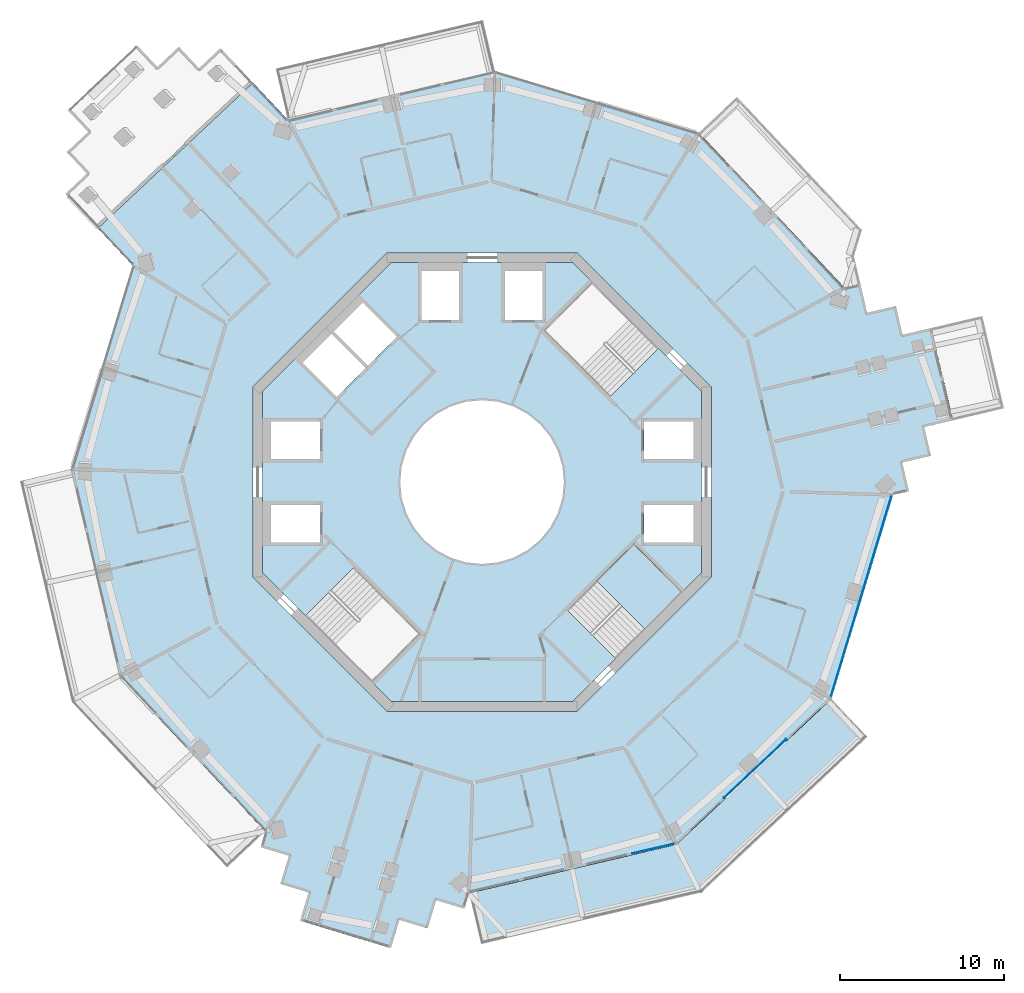
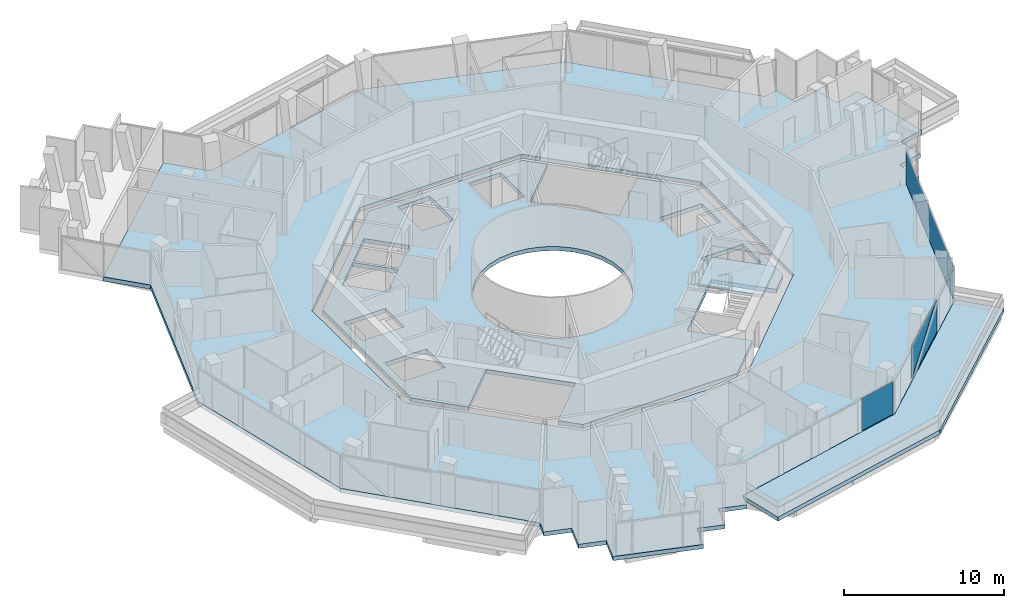
# One storey, part 13 of 24: 4 plates, 4 slabs, 4 elements without a shape of their own.
"""IFC4 building model written with IfcOpenShell, lengths in metres."""

import ifcopenshell
import ifcopenshell.guid

model = None  # the IFC model being written
_history = None  # IfcOwnerHistory: only IFC2X3 demands one
_inside = {}  # id of a spatial element -> (the spatial element, [elements in it])
_under = {}  # id of a project, library or spatial element -> (it, [spatial elements below it])
_declared = {}  # id of a project -> (the project, [libraries it declares])
_typed = {}  # id of a type object -> (the type object, [elements of that type])
_made_of = {}  # id of a material, layer set ... -> (it, [elements and type objects made of it])


def new_model(schema):
    """Start an empty IFC model of exactly this schema.

    Asked for "IFC4X3", IfcOpenShell would pick the latest addendum, in which some entities
    have other attributes; the version numbers below select the first issue.
    IFC2X3 requires an IfcOwnerHistory on every rooted entity: one is made here for all.
    """
    global model, _history
    if schema == "IFC4X3":
        model = ifcopenshell.file(schema_version=(4, 3, 0, 0))
    else:
        model = ifcopenshell.file(schema=schema)
    _inside.clear()
    _under.clear()
    _declared.clear()
    _typed.clear()
    _made_of.clear()
    _history = None
    if model.schema == "IFC2X3":
        org = make("IfcOrganization", Name="unknown")
        user = make(
            "IfcPersonAndOrganization",
            ThePerson=make("IfcPerson", FamilyName="unknown"),
            TheOrganization=org,
        )
        app = make(
            "IfcApplication",
            ApplicationDeveloper=org,
            Version="unknown",
            ApplicationFullName="unknown",
            ApplicationIdentifier="unknown",
        )
        _history = make(
            "IfcOwnerHistory",
            OwningUser=user,
            OwningApplication=app,
            ChangeAction="ADDED",
            CreationDate=0,
        )
    return model


def make(cls, **values):
    """One entity of the class cls with the attributes given. An attribute that is None is left unset."""
    return model.create_entity(
        cls, **{name: value for name, value in values.items() if value is not None}
    )


def rooted(cls, **values):
    """An entity with a GlobalId (a new one), such as an element, a storey or a relation."""
    return make(cls, GlobalId=ifcopenshell.guid.new(), OwnerHistory=_history, **values)


def si_unit(unit_type, name, prefix=None):
    """IfcSIUnit, for example si_unit("LENGTHUNIT", "METRE", prefix="MILLI")."""
    return make("IfcSIUnit", UnitType=unit_type, Prefix=prefix, Name=name)


def assignment(units):
    """IfcUnitAssignment: the units of a project."""
    return None if units is None else make("IfcUnitAssignment", Units=units)


def point(xyz):
    """IfcCartesianPoint."""
    return None if xyz is None else make("IfcCartesianPoint", Coordinates=xyz)


def direction(xyz):
    """IfcDirection."""
    return None if xyz is None else make("IfcDirection", DirectionRatios=xyz)


def frame(location, z_axis=None, x_axis=None):
    """IfcAxis2Placement3D, a coordinate frame: its origin and axes. An axis left out is left unset."""
    return make(
        "IfcAxis2Placement3D",
        Location=point(location),
        Axis=direction(z_axis),
        RefDirection=direction(x_axis),
    )


def frame_2d(location, x_axis=None):
    """IfcAxis2Placement2D, a coordinate frame in the plane: its origin and x axis."""
    return make(
        "IfcAxis2Placement2D", Location=point(location), RefDirection=direction(x_axis)
    )


def origin():
    """The frame at (0, 0, 0) with its axes left unset."""
    return frame((0.0, 0.0, 0.0))


def origin_2d():
    """The frame at (0, 0) in the plane with its x axis left unset."""
    return frame_2d((0.0, 0.0))


def place(relative_to, where):
    """IfcLocalPlacement: puts the frame where relative to a parent placement (None: the world)."""
    return make(
        "IfcLocalPlacement", PlacementRelTo=relative_to, RelativePlacement=where
    )


def context(
    kind, dimensions, precision=None, world=None, true_north=None, identifier=None
):
    """IfcGeometricRepresentationContext, for example the 3D "Model" context."""
    return make(
        "IfcGeometricRepresentationContext",
        ContextIdentifier=identifier,
        ContextType=kind,
        CoordinateSpaceDimension=dimensions,
        Precision=precision,
        WorldCoordinateSystem=world,
        TrueNorth=true_north,
    )


def subcontext(parent, identifier, kind, view, scale=None):
    """IfcGeometricRepresentationSubContext, for example "Body" below "Model"."""
    return make(
        "IfcGeometricRepresentationSubContext",
        ContextIdentifier=identifier,
        ContextType=kind,
        ParentContext=parent,
        TargetScale=scale,
        TargetView=view,
    )


def project(units=None, contexts=None):
    """IfcProject with its units and contexts."""
    return rooted(
        "IfcProject",
        Name="project",
        RepresentationContexts=contexts,
        UnitsInContext=assignment(units),
    )


def spatial(cls, under=None, at=None, **own):
    """A site, building, storey or space (cls), placed at a placement, below another one or the project."""
    s = rooted(cls, ObjectPlacement=at, **own)
    if under is not None:
        _under.setdefault(under.id(), (under, []))[1].append(s)
    return s


def polyline(points):
    """IfcPolyline through the points."""
    return make("IfcPolyline", Points=[point(p) for p in points])


def profile(cls, at=None, kind="AREA", **sizes):
    """A parametric profile (cls). Its sizes go by their IFC names, for example OverallWidth=200.0."""
    return make(cls, ProfileType=kind, Position=at, **sizes)


def rectangle(**sizes):
    """IfcRectangleProfileDef."""
    return profile("IfcRectangleProfileDef", **sizes)


def outline(outer, holes=None, kind="AREA"):
    """IfcArbitraryClosedProfileDef: a profile drawn as a closed curve; with holes, ...WithVoids."""
    if holes is None:
        return make("IfcArbitraryClosedProfileDef", ProfileType=kind, OuterCurve=outer)
    return make(
        "IfcArbitraryProfileDefWithVoids",
        ProfileType=kind,
        OuterCurve=outer,
        InnerCurves=holes,
    )


def extrude(swept, where, along, depth):
    """IfcExtrudedAreaSolid: the profile swept, set in the frame where, extruded along a direction by depth."""
    return make(
        "IfcExtrudedAreaSolid",
        SweptArea=swept,
        Position=where,
        ExtrudedDirection=direction(along),
        Depth=depth,
    )


def shape(context_of_items, identifier, shape_type, items):
    """IfcShapeRepresentation: the items that make up one representation, for example the "Body"."""
    return make(
        "IfcShapeRepresentation",
        ContextOfItems=context_of_items,
        RepresentationIdentifier=identifier,
        RepresentationType=shape_type,
        Items=items,
    )


def material(Name=None, Category=None):
    """IfcMaterial."""
    return make("IfcMaterial", Name=Name, Category=Category)


def layer(
    of_material, thickness, ventilated=None, Name=None, Category=None, Priority=None
):
    """IfcMaterialLayer: one layer of a wall or slab, of a material (None: an air gap)."""
    return make(
        "IfcMaterialLayer",
        Material=of_material,
        LayerThickness=thickness,
        IsVentilated=ventilated,
        Name=Name,
        Category=Category,
        Priority=Priority,
    )


def layer_set(layers, Name=None):
    """IfcMaterialLayerSet."""
    return make("IfcMaterialLayerSet", MaterialLayers=layers, LayerSetName=Name)


def made_of(thing, what):
    """Note that an element or type object is made of a material, layer set ...; save() writes the relation."""
    if what is not None:
        _made_of.setdefault(what.id(), (what, []))[1].append(thing)
    return thing


def type_object(cls, material=None, **own):
    """A type object (cls), such as IfcWallType, which elements share."""
    return made_of(rooted(cls, **own), material)


def element(
    cls,
    number,
    at=None,
    inside=None,
    cuts=None,
    type_object=None,
    material=None,
    context=None,
    identifier="Body",
    shape_type=None,
    held_by="IfcProductDefinitionShape",
    body=None,
    shapes=None,
    **own,
):
    """One element of the class cls, such as IfcWall. Its Tag is "e" and its number.

    at: its placement. inside: the storey or other place that contains it. cuts: it is an
    opening in that element (IfcRelVoidsElement). A single representation is given by context,
    identifier, shape_type and body (its items); several are given by shapes. held_by: the class
    of the entity that holds the representations. save() writes the other relations.
    """
    e = rooted(cls, Tag="e%d" % number, ObjectPlacement=at, **own)
    if body is not None:
        shapes = [shape(context, identifier, shape_type, body)]
    if shapes is not None:
        e.Representation = make(held_by, Representations=shapes)
    if inside is not None:
        _inside.setdefault(inside.id(), (inside, []))[1].append(e)
    if cuts is not None:
        rooted(
            "IfcRelVoidsElement", RelatingBuildingElement=cuts, RelatedOpeningElement=e
        )
    if type_object is not None:
        _typed.setdefault(type_object.id(), (type_object, []))[1].append(e)
    return made_of(e, material)


def aggregate(whole, parts):
    """IfcRelAggregates: a whole, such as a stair, and the parts it consists of."""
    return rooted("IfcRelAggregates", RelatingObject=whole, RelatedObjects=parts)


def save(model, path):
    """Write the relations noted so far, then the file.

    IfcRelAggregates (storeys below a building ...), IfcRelContainedInSpatialStructure (elements
    in a storey), IfcRelDefinesByType, IfcRelAssociatesMaterial and IfcRelDeclares: one each for
    every whole, place, type object, material and project.
    """
    for whole, parts in _under.values():
        aggregate(whole, parts)
    for where, things in _inside.values():
        rooted(
            "IfcRelContainedInSpatialStructure",
            RelatedElements=things,
            RelatingStructure=where,
        )
    for kind, things in _typed.values():
        rooted("IfcRelDefinesByType", RelatedObjects=things, RelatingType=kind)
    for what, things in _made_of.values():
        rooted("IfcRelAssociatesMaterial", RelatedObjects=things, RelatingMaterial=what)
    for by, libraries in _declared.values():
        rooted("IfcRelDeclares", RelatingContext=by, RelatedDefinitions=libraries)
    model.write(path)


model = new_model("IFC4")

# Units and contexts
model_context = context("Model", 3, precision=1e-05, world=origin(), true_north=direction((0.0, 1.0)))
body_context = subcontext(model_context, "Body", "Model", "MODEL_VIEW")
ifc_project = project(units=[si_unit("LENGTHUNIT", "METRE"), si_unit("AREAUNIT", "SQUARE_METRE"), si_unit("VOLUMEUNIT", "CUBIC_METRE"), si_unit("PLANEANGLEUNIT", "RADIAN"), si_unit("MASSUNIT", "GRAM", prefix="KILO")], contexts=[model_context])

# Site, building, storey
site_placement = place(None, origin())
site = spatial("IfcSite", under=ifc_project, at=site_placement, CompositionType="ELEMENT")
building_placement = place(site_placement, origin())
building = spatial("IfcBuilding", under=site, at=building_placement, Name="Verdalira Terraces Hotel", CompositionType="ELEMENT")
storey_placement = place(building_placement, frame((0.0, 0.0, 209.0)))
storey = spatial("IfcBuildingStorey", under=building, at=storey_placement, Name="L51", CompositionType="ELEMENT", Elevation=209.0)

# Slab
ifc_material_1 = material(Name="Precast concrete C40/50", Category="concrete")
ifc_layer_1 = layer(ifc_material_1, 0.31005859375)
ifc_layer_set_1 = layer_set([ifc_layer_1], Name="Balcony deck 310")
slab_type_1 = type_object("IfcSlabType", Name="Balcony deck 310", PredefinedType="FLOOR", material=ifc_layer_set_1)
slab_1_placement = place(storey_placement, frame((0.0, 0.0, -0.310059)))
element("IfcSlab", 1, at=slab_1_placement, inside=storey, type_object=slab_type_1, Name="Balcony deck", PredefinedType="FLOOR", context=body_context, shape_type="SweptSolid", body=[
    extrude(outline(polyline([(23.534912, -15.56665), (21.344238, -13.233887), (11.867676, -22.133057), (-0.788818, -25.101562), (-0.058105, -28.217041), (13.433105, -25.052734), (23.534912, -15.56665)])), origin(), (0.0, 0.0, 1.0), 0.310059),
])

# Curtain wall, plate
ifc_material_2 = material(Name="Clear glass", Category="glass")
ifc_layer_2 = layer(ifc_material_2, 0.14990234375)
ifc_layer_set_2 = layer_set([ifc_layer_2], Name="CW1 curtain wall")
curtain_wall_type = type_object("IfcCurtainWallType", Name="CW1 curtain wall", PredefinedType="NOTDEFINED", material=ifc_layer_set_2)
curtain_wall_1_placement = place(storey_placement, origin())
curtain_wall_1 = element("IfcCurtainWall", 2, at=curtain_wall_1_placement, inside=storey, type_object=curtain_wall_type, Name="CW1 curtain wall L51 edge 25", PredefinedType="NOTDEFINED")
ifc_material_3 = material(Name="Clear glass", Category="glass")
ifc_layer_3 = layer(ifc_material_3, 0.028076171875)
ifc_layer_set_3 = layer_set([ifc_layer_3], Name="CW1 glass unit 28")
plate_type = type_object("IfcPlateType", Name="CW1 glass unit 28", PredefinedType="CURTAIN_PANEL", material=ifc_layer_set_3)
plate_1_placement = place(storey_placement, frame((10.468506, -22.384277, 0.0), z_axis=(0.0, 0.0, 1.0), x_axis=(0.973578903, 0.22835087, 0.0)))
plate_1 = element("IfcPlate", 3, at=plate_1_placement, type_object=plate_type, Name="CW1 glass unit", PredefinedType="CURTAIN_PANEL", context=body_context, shape_type="SweptSolid", body=[
    extrude(rectangle(XDim=2.638428, YDim=0.028076, at=origin_2d()), origin(), (0.0, 0.0, 1.0), 2.475098),
])
aggregate(curtain_wall_1, [plate_1])

# Curtain wall, plates
curtain_wall_2_placement = place(storey_placement, origin())
curtain_wall_2 = element("IfcCurtainWall", 4, at=curtain_wall_2_placement, inside=storey, type_object=curtain_wall_type, Name="CW1 curtain wall L51 edge 26", PredefinedType="NOTDEFINED")
plate_2_placement = place(storey_placement, frame((16.675781, -17.49585, 1.237549), z_axis=(0.684547106, -0.728968627, 0.0), x_axis=(0.728968627, 0.684547106, 0.0)))
plate_2 = element("IfcPlate", 5, at=plate_2_placement, type_object=plate_type, Name="CW1 glass unit", PredefinedType="CURTAIN_PANEL", context=body_context, shape_type="SweptSolid", body=[
    extrude(outline(polyline([(-2.611816, -1.237549), (2.611816, -1.237549), (2.611816, 1.237549), (-2.611816, -1.237549)])), origin(), (0.0, 0.0, 1.0), 0.028076),
])
plate_3_placement = place(storey_placement, frame((16.655762, -17.474609, 1.237549), z_axis=(0.684547106, -0.728968627, 0.0), x_axis=(0.728968627, 0.684547106, 0.0)))
plate_3 = element("IfcPlate", 6, at=plate_3_placement, type_object=plate_type, Name="CW1 glass unit", PredefinedType="CURTAIN_PANEL", context=body_context, shape_type="SweptSolid", body=[
    extrude(outline(polyline([(-2.611816, -1.237549), (2.611816, 1.237549), (-2.611816, 1.237549), (-2.611816, -1.237549)])), origin(), (0.0, 0.0, 1.0), 0.028076),
])
aggregate(curtain_wall_2, [plate_2, plate_3])

# Curtain wall, plate
curtain_wall_3_placement = place(storey_placement, origin())
curtain_wall_3 = element("IfcCurtainWall", 7, at=curtain_wall_3_placement, inside=storey, type_object=curtain_wall_type, Name="CW1 curtain wall L51 edge 27", PredefinedType="NOTDEFINED")
plate_4_placement = place(storey_placement, frame((23.156982, -6.970459, 0.0), z_axis=(0.0, 0.0, 1.0), x_axis=(0.289031797, 0.957319498, 0.0)))
plate_4 = element("IfcPlate", 8, at=plate_4_placement, type_object=plate_type, Name="CW1 glass unit", PredefinedType="CURTAIN_PANEL", context=body_context, shape_type="SweptSolid", body=[
    extrude(rectangle(XDim=12.839844, YDim=0.028076, at=origin_2d()), origin(), (0.0, 0.0, 1.0), 2.475098),
])
aggregate(curtain_wall_3, [plate_4])

# Slab
ifc_material_4 = material(Name="Concrete C40", Category="concrete")
ifc_layer_4 = layer(ifc_material_4, 0.31005859375)
ifc_layer_set_4 = layer_set([ifc_layer_4], Name="Core floor slab 310 mm")
slab_type_2 = type_object("IfcSlabType", Name="Core floor slab 310 mm", PredefinedType="FLOOR", material=ifc_layer_set_4)
slab_2_placement = place(storey_placement, frame((0.0, 0.0, -0.310059)))
element("IfcSlab", 9, at=slab_2_placement, inside=storey, type_object=slab_type_2, Name="L51 core floor", PredefinedType="FLOOR", context=body_context, shape_type="SweptSolid", body=[
    extrude(outline(polyline([(-6.703369, -12.24707), (-3.719482, -9.263184), (-7.799072, -5.18335), (-10.782959, -8.16748), (-13.399902, -5.550537), (-13.399902, 5.550537), (-5.550537, 13.399902), (5.550537, 13.399902), (6.703369, 12.24707), (3.719482, 9.263184), (7.799072, 5.18335), (10.782959, 8.16748), (13.399902, 5.550537), (13.399902, -5.550537), (12.24707, -6.703369), (9.263184, -3.719482), (5.18335, -7.799072), (8.16748, -10.782959), (5.550537, -13.399902), (-5.550537, -13.399902), (-6.703369, -12.24707)]), holes=[polyline([(9.899902, -1.399902), (9.899902, -3.699951), (12.899902, -3.699951), (12.899902, -1.399902), (9.899902, -1.399902)]), polyline([(9.899902, 3.699951), (9.899902, 1.399902), (12.899902, 1.399902), (12.899902, 3.699951), (9.899902, 3.699951)]), polyline([(3.699951, 12.899902), (1.399902, 12.899902), (1.399902, 9.899902), (3.699951, 9.899902), (3.699951, 12.899902)]), polyline([(-1.399902, 12.899902), (-3.699951, 12.899902), (-3.699951, 9.899902), (-1.399902, 9.899902), (-1.399902, 12.899902)]), polyline([(-9.899902, 1.399902), (-9.899902, 3.699951), (-12.899902, 3.699951), (-12.899902, 1.399902), (-9.899902, 1.399902)]), polyline([(-9.899902, -3.699951), (-9.899902, -1.399902), (-12.899902, -1.399902), (-12.899902, -3.699951), (-9.899902, -3.699951)]), polyline([(-9.051025, 9.192383), (-6.965088, 7.106445), (-5.197266, 8.874268), (-7.283203, 10.960205), (-9.051025, 9.192383)]), polyline([(-9.192383, 9.051025), (-10.960205, 7.283203), (-8.874268, 5.197266), (-7.106445, 6.965088), (-9.192383, 9.051025)]), polyline([(3.5354, 3.5354), (2.777832, 4.157227), (1.91333, 4.619385), (0.975586, 4.903809), (0.0, 5.0), (-0.975586, 4.903809), (-1.91333, 4.619385), (-2.777832, 4.157227), (-3.5354, 3.5354), (-4.157227, 2.777832), (-4.619385, 1.91333), (-4.903809, 0.975586), (-5.0, 0.0), (-4.903809, -0.975586), (-4.619385, -1.91333), (-4.157227, -2.777832), (-3.5354, -3.5354), (-2.777832, -4.157227), (-1.91333, -4.619385), (-0.975586, -4.903809), (0.0, -5.0), (0.975586, -4.903809), (1.91333, -4.619385), (2.777832, -4.157227), (3.5354, -3.5354), (4.157227, -2.777832), (4.619385, -1.91333), (4.903809, -0.975586), (5.0, 0.0), (4.903809, 0.975586), (4.619385, 1.91333), (4.157227, 2.777832), (3.5354, 3.5354)])]), origin(), (0.0, 0.0, 1.0), 0.310059),
])

# Stair, slab
ifc_material_5 = material(Name="Concrete C40", Category="concrete")
stair_type = type_object("IfcStairType", Name="Core stair 20 risers 2050 mm wide", PredefinedType="HALF_TURN_STAIR", material=ifc_material_5)
stair_placement = place(storey_placement, origin())
stair = element("IfcStair", 10, at=stair_placement, inside=storey, type_object=stair_type, Name="L51 Exit stair ST3", PredefinedType="HALF_TURN_STAIR")
ifc_material_6 = material(Name="Concrete C40", Category="concrete")
ifc_layer_5 = layer(ifc_material_6, 0.199951171875)
ifc_layer_set_5 = layer_set([ifc_layer_5], Name="Core stair landing 200 mm")
slab_type_3 = type_object("IfcSlabType", Name="Core stair landing 200 mm", PredefinedType="LANDING", material=ifc_layer_set_5)
slab_3_placement = place(storey_placement, frame((0.0, 0.0, 1.550049)))
slab_3 = element("IfcSlab", 11, at=slab_3_placement, type_object=slab_type_3, Name="ST3 landing 1", PredefinedType="LANDING", context=body_context, shape_type="SweptSolid", body=[
    extrude(outline(polyline([(9.94873, -9.001709), (12.23291, -6.717529), (9.263184, -3.747559), (6.97876, -6.031982), (9.94873, -9.001709)])), origin(), (0.0, 0.0, 1.0), 0.199951),
])
aggregate(stair, [slab_3])

# Slab
ifc_material_7 = material(Name="Concrete C40", Category="concrete")
ifc_layer_6 = layer(ifc_material_7, 0.31005859375)
ifc_layer_set_6 = layer_set([ifc_layer_6], Name="Floor slab 310 C40")
slab_type_4 = type_object("IfcSlabType", Name="Floor slab 310 C40", PredefinedType="FLOOR", material=ifc_layer_set_6)
slab_4_placement = place(storey_placement, frame((0.0, 0.0, -0.310059)))
element("IfcSlab", 12, at=slab_4_placement, inside=storey, type_object=slab_type_4, Name="Floor slab L51", PredefinedType="FLOOR", context=body_context, shape_type="SweptSolid", body=[
    extrude(outline(polyline([(0.788818, 25.101807), (-11.867676, 22.133057), (-13.986084, 24.38916), (-23.462891, 15.48999), (-21.344238, 13.233887), (-25.101807, 0.788818), (-22.133057, -11.867676), (-13.233887, -21.344238), (-13.522949, -22.301514), (-11.799805, -22.821777), (-12.320068, -24.544922), (-10.596924, -25.065186), (-11.117188, -26.788574), (-5.564697, -28.464844), (-5.044434, -26.741699), (-3.321289, -27.261963), (-2.801025, -25.538818), (-1.077881, -26.059082), (-0.788818, -25.101807), (11.867676, -22.133057), (21.344238, -13.233887), (25.101807, -0.788818), (26.075195, -0.560547), (25.664307, 1.191895), (27.416748, 1.603027), (27.005615, 3.355469), (28.758057, 3.766357), (27.433594, 9.413086), (25.681152, 9.002197), (25.270264, 10.754639), (23.517578, 10.343506), (23.106689, 12.095947), (22.133057, 11.867676), (13.233887, 21.344238), (0.788818, 25.101807)]), holes=[polyline([(5.799072, 14.0), (14.0, 5.799072), (14.0, -5.799072), (5.799072, -14.0), (-5.799072, -14.0), (-14.0, -5.799072), (-14.0, 5.799072), (-5.799072, 14.0), (5.799072, 14.0)])]), origin(), (0.0, 0.0, 1.0), 0.310059),
])

save(model, "model.ifc")
